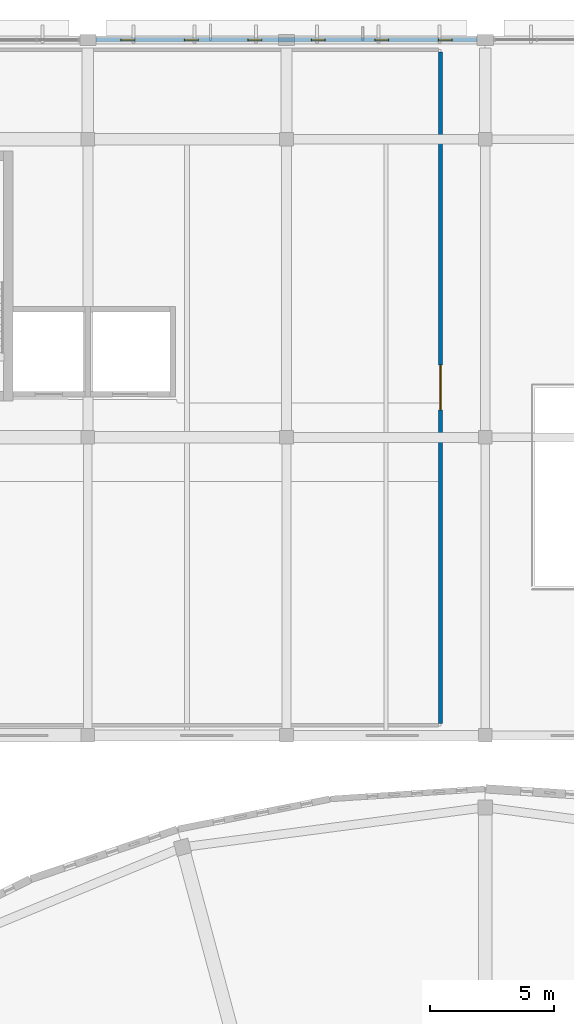
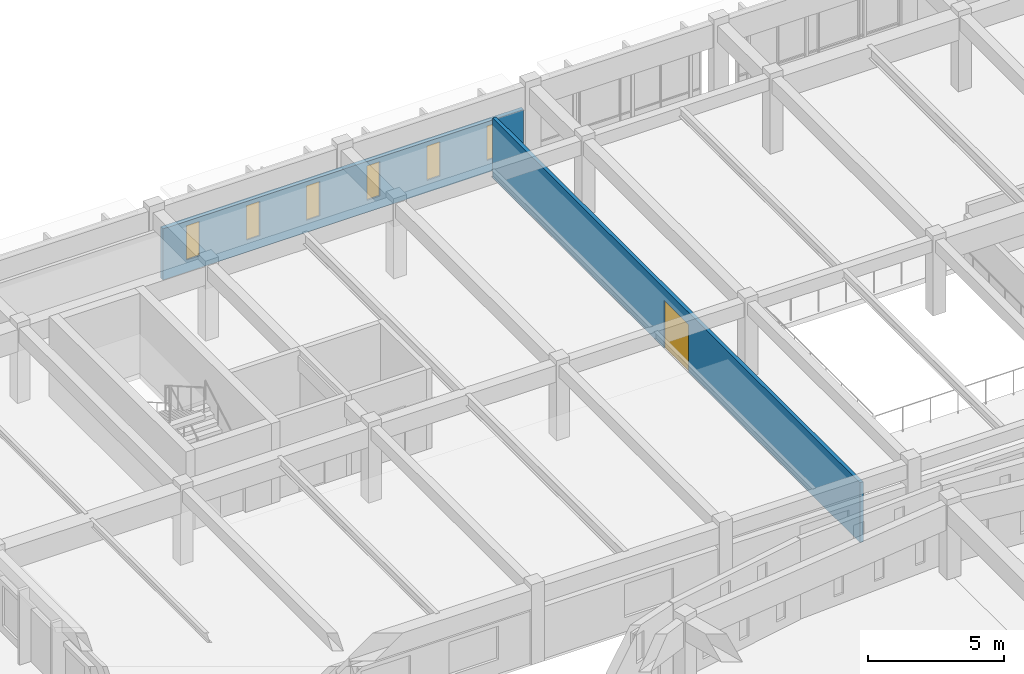
# One storey, part 118 of 155: 6 windows, 2 walls, 1 door, 7 openings.
"""IFC4 building model written with IfcOpenShell, lengths in metres."""

from ifc_helpers import new_model, si_unit, direction, frame, frame_2d, origin, place, context, subcontext, project, spatial, rectangle, extrude, material, layer, layer_set, type_object, element, fill, save


model = new_model("IFC4")

# Units and contexts
model_context = context("Model", 3, precision=1e-05, world=origin(), true_north=direction((0.0, 1.0)))
body_context = subcontext(model_context, "Body", "Model", "MODEL_VIEW")
ifc_project = project(units=[si_unit("LENGTHUNIT", "METRE"), si_unit("AREAUNIT", "SQUARE_METRE"), si_unit("VOLUMEUNIT", "CUBIC_METRE"), si_unit("PLANEANGLEUNIT", "RADIAN"), si_unit("MASSUNIT", "GRAM", prefix="KILO")], contexts=[model_context])

# Site, building, storey
site_placement = place(None, origin())
site = spatial("IfcSite", under=ifc_project, at=site_placement, CompositionType="ELEMENT")
building_placement = place(site_placement, origin())
building = spatial("IfcBuilding", under=site, at=building_placement, Name="Larkveld Mobility Hub", CompositionType="ELEMENT")
storey_placement = place(building_placement, frame((0.0, 0.0, 8.39990234375)))
storey = spatial("IfcBuildingStorey", under=building, at=storey_placement, Name="L02", CompositionType="ELEMENT", Elevation=8.39990234375)

# Wall, openings, windows
ifc_material_1 = material(Name="Glazed architectural ceramic masonry 20 MPa", Category="masonry")
ifc_layer_1 = layer(ifc_material_1, 0.179931640625, Name="Glazed architectural ceramic masonry 20 MPa", Category="masonry")
ifc_layer_set_1 = layer_set([ifc_layer_1], Name="Glazed architectural ceramic masonry 20 MPa")
wall_type_1 = type_object("IfcWallType", Name="WL-COB-180", PredefinedType="USERDEFINED", material=ifc_layer_set_1)
wall_1_placement = place(storey_placement, frame((47.6650390625, 126.0, 0.0), z_axis=(0.0, 0.0, 1.0), x_axis=(-1.0, 0.0, 0.0)))
wall_1 = element("IfcWall", 1, at=wall_1_placement, inside=storey, type_object=wall_type_1, Name="Bicycle Hall Ceramic Cobogo Screen L02-0193", ObjectType="CERAMIC COBOGO SCREEN", PredefinedType="USERDEFINED", context=body_context, shape_type="SweptSolid", body=[
    extrude(rectangle(XDim=15.330078125, YDim=0.179931640625, at=frame_2d((7.6650390625, 0.0))), origin(), (0.0, 0.0, 1.0), 2.295166015625),
])
opening_1_placement = place(wall_1_placement, frame((0.9970703125, 0.0, 0.544921875)))
opening_1 = element("IfcOpeningElement", 2, at=opening_1_placement, cuts=wall_1, Name="Opening W04", PredefinedType="OPENING", context=body_context, shape_type="SweptSolid", body=[
    extrude(rectangle(XDim=0.56005859375, YDim=1.550048828125, at=frame_2d((0.280029296875, 0.77490234375))), frame((0.0, 0.10009765625, 0.0), z_axis=(0.0, -1.0, 0.0), x_axis=(1.0, 0.0, 0.0)), (0.0, 0.0, 1.0), 0.199951171875),
])
opening_2_placement = place(wall_1_placement, frame((3.552001953125, 0.0, 0.544921875)))
opening_2 = element("IfcOpeningElement", 3, at=opening_2_placement, cuts=wall_1, Name="Opening W04", PredefinedType="OPENING", context=body_context, shape_type="SweptSolid", body=[
    extrude(rectangle(XDim=0.56005859375, YDim=1.550048828125, at=frame_2d((0.280029296875, 0.77490234375))), frame((0.0, 0.10009765625, 0.0), z_axis=(0.0, -1.0, 0.0), x_axis=(1.0, 0.0, 0.0)), (0.0, 0.0, 1.0), 0.199951171875),
])
opening_3_placement = place(wall_1_placement, frame((6.10693359375, 0.0, 0.544921875)))
opening_3 = element("IfcOpeningElement", 4, at=opening_3_placement, cuts=wall_1, Name="Opening W04", PredefinedType="OPENING", context=body_context, shape_type="SweptSolid", body=[
    extrude(rectangle(XDim=0.56005859375, YDim=1.550048828125, at=frame_2d((0.280029296875, 0.77490234375))), frame((0.0, 0.10009765625, 0.0), z_axis=(0.0, -1.0, 0.0), x_axis=(1.0, 0.0, 0.0)), (0.0, 0.0, 1.0), 0.199951171875),
])
opening_4_placement = place(wall_1_placement, frame((8.662109375, 0.0, 0.544921875)))
opening_4 = element("IfcOpeningElement", 5, at=opening_4_placement, cuts=wall_1, Name="Opening W04", PredefinedType="OPENING", context=body_context, shape_type="SweptSolid", body=[
    extrude(rectangle(XDim=0.56005859375, YDim=1.550048828125, at=frame_2d((0.280029296875, 0.77490234375))), frame((0.0, 0.10009765625, 0.0), z_axis=(0.0, -1.0, 0.0), x_axis=(1.0, 0.0, 0.0)), (0.0, 0.0, 1.0), 0.199951171875),
])
opening_5_placement = place(wall_1_placement, frame((11.217041015625, 0.0, 0.544921875)))
opening_5 = element("IfcOpeningElement", 6, at=opening_5_placement, cuts=wall_1, Name="Opening W04", PredefinedType="OPENING", context=body_context, shape_type="SweptSolid", body=[
    extrude(rectangle(XDim=0.56005859375, YDim=1.550048828125, at=frame_2d((0.280029296875, 0.77490234375))), frame((0.0, 0.10009765625, 0.0), z_axis=(0.0, -1.0, 0.0), x_axis=(1.0, 0.0, 0.0)), (0.0, 0.0, 1.0), 0.199951171875),
])
opening_6_placement = place(wall_1_placement, frame((13.77197265625, 0.0, 0.544921875)))
opening_6 = element("IfcOpeningElement", 7, at=opening_6_placement, cuts=wall_1, Name="Opening W04", PredefinedType="OPENING", context=body_context, shape_type="SweptSolid", body=[
    extrude(rectangle(XDim=0.56005859375, YDim=1.550048828125, at=frame_2d((0.280029296875, 0.77490234375))), frame((0.0, 0.10009765625, 0.0), z_axis=(0.0, -1.0, 0.0), x_axis=(1.0, 0.0, 0.0)), (0.0, 0.0, 1.0), 0.199951171875),
])
ifc_material_2 = material(Name="Extruded aluminium cobogo vent frame", Category="aluminium")
window_type = type_object("IfcWindowType", Name="WN-VENT-04", PartitioningType="SINGLE_PANEL", PredefinedType="WINDOW", material=ifc_material_2)
window_1_placement = place(opening_1_placement, origin())
window_1 = element("IfcWindow", 8, at=window_1_placement, inside=storey, type_object=window_type, Name="Window W04 (0921)", OverallHeight=1.550048828125, OverallWidth=0.56005859375, PartitioningType="SINGLE_PANEL", PredefinedType="WINDOW", context=body_context, shape_type="SweptSolid", body=[
    extrude(rectangle(XDim=0.56005859375, YDim=1.550048828125, at=frame_2d((0.280029296875, 0.77490234375))), frame((0.0, 0.030029296875, 0.0), z_axis=(0.0, -1.0, 0.0), x_axis=(1.0, 0.0, 0.0)), (0.0, 0.0, 1.0), 0.06005859375),
])
fill(opening_1, window_1)
window_2_placement = place(opening_2_placement, origin())
window_2 = element("IfcWindow", 9, at=window_2_placement, inside=storey, type_object=window_type, Name="Window W04 (0922)", OverallHeight=1.550048828125, OverallWidth=0.56005859375, PartitioningType="SINGLE_PANEL", PredefinedType="WINDOW", context=body_context, shape_type="SweptSolid", body=[
    extrude(rectangle(XDim=0.56005859375, YDim=1.550048828125, at=frame_2d((0.280029296875, 0.77490234375))), frame((0.0, 0.030029296875, 0.0), z_axis=(0.0, -1.0, 0.0), x_axis=(1.0, 0.0, 0.0)), (0.0, 0.0, 1.0), 0.06005859375),
])
fill(opening_2, window_2)
window_3_placement = place(opening_3_placement, origin())
window_3 = element("IfcWindow", 10, at=window_3_placement, inside=storey, type_object=window_type, Name="Window W04 (0923)", OverallHeight=1.550048828125, OverallWidth=0.56005859375, PartitioningType="SINGLE_PANEL", PredefinedType="WINDOW", context=body_context, shape_type="SweptSolid", body=[
    extrude(rectangle(XDim=0.56005859375, YDim=1.550048828125, at=frame_2d((0.280029296875, 0.77490234375))), frame((0.0, 0.030029296875, 0.0), z_axis=(0.0, -1.0, 0.0), x_axis=(1.0, 0.0, 0.0)), (0.0, 0.0, 1.0), 0.06005859375),
])
fill(opening_3, window_3)
window_4_placement = place(opening_4_placement, origin())
window_4 = element("IfcWindow", 11, at=window_4_placement, inside=storey, type_object=window_type, Name="Window W04 (0924)", OverallHeight=1.550048828125, OverallWidth=0.56005859375, PartitioningType="SINGLE_PANEL", PredefinedType="WINDOW", context=body_context, shape_type="SweptSolid", body=[
    extrude(rectangle(XDim=0.56005859375, YDim=1.550048828125, at=frame_2d((0.280029296875, 0.77490234375))), frame((0.0, 0.030029296875, 0.0), z_axis=(0.0, -1.0, 0.0), x_axis=(1.0, 0.0, 0.0)), (0.0, 0.0, 1.0), 0.06005859375),
])
fill(opening_4, window_4)
window_5_placement = place(opening_5_placement, origin())
window_5 = element("IfcWindow", 12, at=window_5_placement, inside=storey, type_object=window_type, Name="Window W04 (0925)", OverallHeight=1.550048828125, OverallWidth=0.56005859375, PartitioningType="SINGLE_PANEL", PredefinedType="WINDOW", context=body_context, shape_type="SweptSolid", body=[
    extrude(rectangle(XDim=0.56005859375, YDim=1.550048828125, at=frame_2d((0.280029296875, 0.77490234375))), frame((0.0, 0.030029296875, 0.0), z_axis=(0.0, -1.0, 0.0), x_axis=(1.0, 0.0, 0.0)), (0.0, 0.0, 1.0), 0.06005859375),
])
fill(opening_5, window_5)
window_6_placement = place(opening_6_placement, origin())
window_6 = element("IfcWindow", 13, at=window_6_placement, inside=storey, type_object=window_type, Name="Window W04 (0926)", OverallHeight=1.550048828125, OverallWidth=0.56005859375, PartitioningType="SINGLE_PANEL", PredefinedType="WINDOW", context=body_context, shape_type="SweptSolid", body=[
    extrude(rectangle(XDim=0.56005859375, YDim=1.550048828125, at=frame_2d((0.280029296875, 0.77490234375))), frame((0.0, 0.030029296875, 0.0), z_axis=(0.0, -1.0, 0.0), x_axis=(1.0, 0.0, 0.0)), (0.0, 0.0, 1.0), 0.06005859375),
])
fill(opening_6, window_6)

# Wall, opening, door
ifc_material_3 = material(Name="Concrete blockwork masonry 14 MPa", Category="masonry")
ifc_layer_2 = layer(ifc_material_3, 0.14990234375, Name="Concrete blockwork masonry 14 MPa", Category="masonry")
ifc_layer_set_2 = layer_set([ifc_layer_2], Name="Concrete blockwork masonry 14 MPa")
wall_type_2 = type_object("IfcWallType", Name="WL-PRT-150", PredefinedType="PARTITIONING", material=ifc_layer_set_2)
wall_2_placement = place(storey_placement, frame((46.197021484375, 98.48291015625, 0.0), z_axis=(0.0, 0.0, 1.0), x_axis=(0.0, 1.0, 0.0)))
wall_2 = element("IfcWall", 14, at=wall_2_placement, inside=storey, type_object=wall_type_2, Name="Safe Cycling Training Studio and Clubroom Partition 0134", PredefinedType="PARTITIONING", context=body_context, shape_type="SweptSolid", body=[
    extrude(rectangle(XDim=27.037109375, YDim=0.14990234375, at=frame_2d((13.5185546875, 0.0))), origin(), (0.0, 0.0, 1.0), 2.695068359375),
])
opening_7_placement = place(wall_2_placement, frame((12.617919921875, 0.0, 0.0)))
opening_7 = element("IfcOpeningElement", 15, at=opening_7_placement, cuts=wall_2, Name="Opening DI10", PredefinedType="OPENING", context=body_context, shape_type="SweptSolid", body=[
    extrude(rectangle(XDim=1.800048828125, YDim=2.14990234375, at=frame_2d((0.89990234375, 1.074951171875))), frame((0.0, 0.0849609375, 0.0), z_axis=(0.0, -1.0, 0.0), x_axis=(1.0, 0.0, 0.0)), (0.0, 0.0, 1.0), 0.169921875),
])
ifc_material_4 = material(Name="Solid-core hardwood timber door in aluminium frame", Category="wood")
door_type = type_object("IfcDoorType", Name="DR-INT-180", OperationType="NOTDEFINED", PredefinedType="DOOR", material=ifc_material_4)
door_placement = place(opening_7_placement, origin())
door = element("IfcDoor", 16, at=door_placement, inside=storey, type_object=door_type, Name="Safe Cycling Training Studio and Clubroom Door 0034", OperationType="DOUBLE_DOOR_SINGLE_SWING", OverallHeight=2.14990234375, OverallWidth=1.800048828125, PredefinedType="DOOR", context=body_context, shape_type="SweptSolid", body=[
    extrude(rectangle(XDim=1.800048828125, YDim=2.14990234375, at=frame_2d((0.89990234375, 1.074951171875))), frame((0.0, 0.02490234375, 0.0), z_axis=(0.0, -1.0, 0.0), x_axis=(1.0, 0.0, 0.0)), (0.0, 0.0, 1.0), 0.050048828125),
])
fill(opening_7, door)

save(model, "model.ifc")
